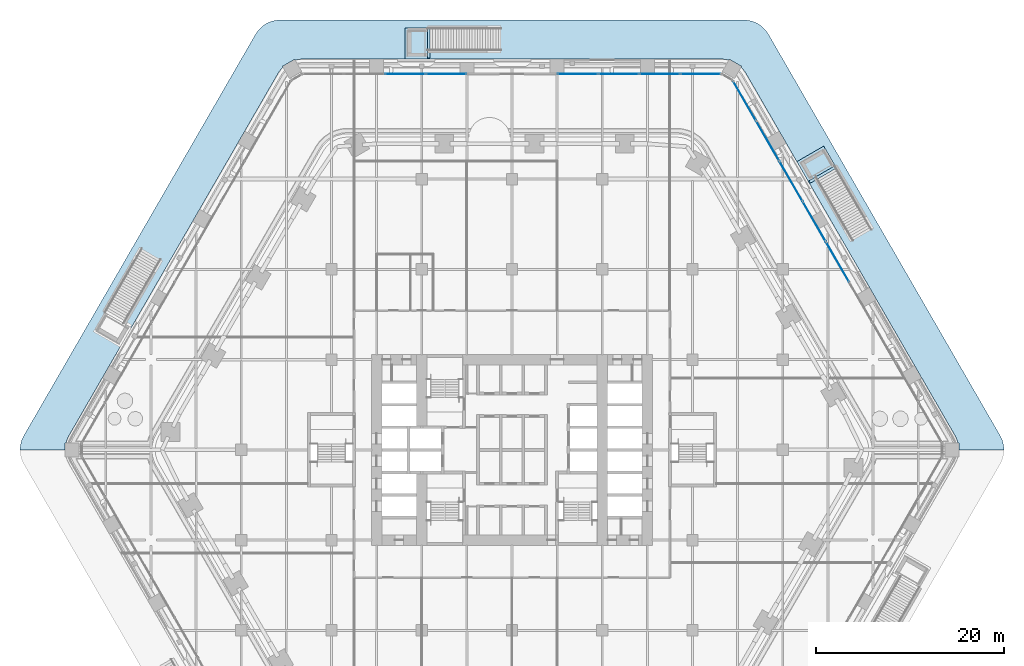
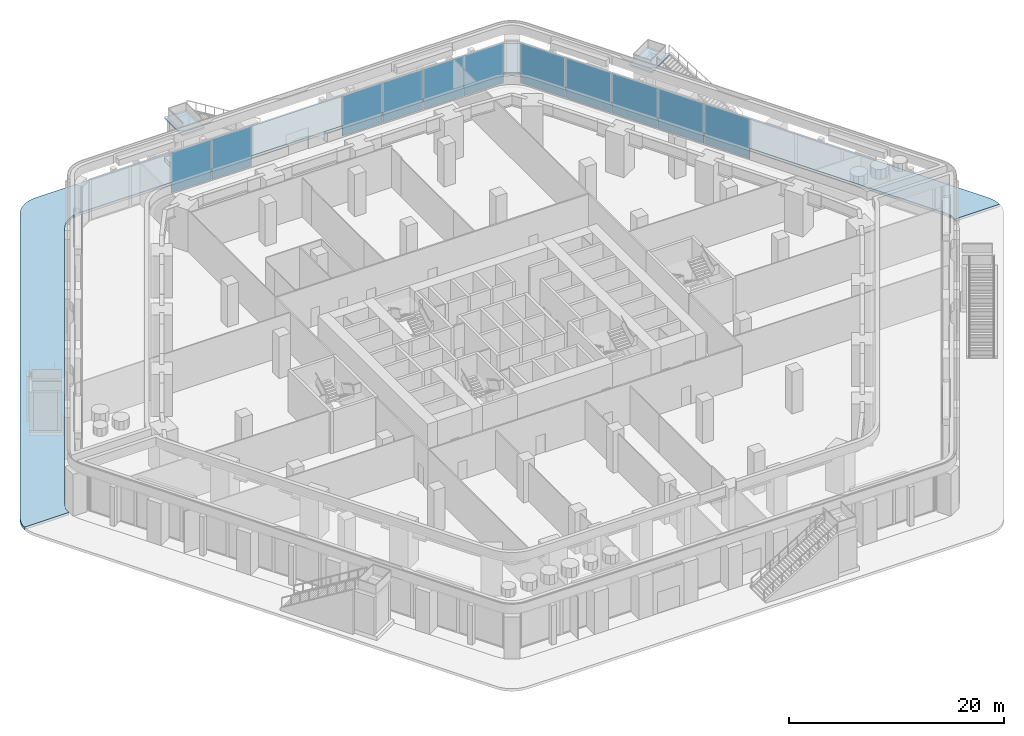
# One storey, part 17 of 34: 11 plates, 5 slabs, 5 elements without a shape of their own.
"""IFC4 building model written with IfcOpenShell, lengths in metres."""

from ifc_helpers import new_model, si_unit, direction, frame, origin, origin_2d, place, context, subcontext, project, spatial, polyline, rectangle, outline, extrude, material, layer, layer_set, type_object, element, aggregate, save


model = new_model("IFC4")

# Units and contexts
model_context = context("Model", 3, precision=1e-05, world=origin(), true_north=direction((0.0, 1.0)))
body_context = subcontext(model_context, "Body", "Model", "MODEL_VIEW")
ifc_project = project(units=[si_unit("LENGTHUNIT", "METRE"), si_unit("AREAUNIT", "SQUARE_METRE"), si_unit("VOLUMEUNIT", "CUBIC_METRE"), si_unit("PLANEANGLEUNIT", "RADIAN"), si_unit("MASSUNIT", "GRAM", prefix="KILO")], contexts=[model_context])

# Site, building, storey
site_placement = place(None, origin())
site = spatial("IfcSite", under=ifc_project, at=site_placement, CompositionType="ELEMENT")
building_placement = place(site_placement, origin())
building = spatial("IfcBuilding", under=site, at=building_placement, Name="Kolab Exchange Tower", CompositionType="ELEMENT")
storey_placement = place(building_placement, frame((0.0, 0.0, 12.39990234375)))
storey = spatial("IfcBuildingStorey", under=building, at=storey_placement, Name="L02", CompositionType="ELEMENT", Elevation=12.39990234375)

# Stair, slab
ifc_material_1 = material(Name="Concrete C40/50", Category="concrete")
stair_type = type_object("IfcStairType", Name="GARDEN STAIR RUN A", PredefinedType="STRAIGHT_RUN_STAIR", material=ifc_material_1)
stair_1_placement = place(storey_placement, origin())
stair_1 = element("IfcStair", 1, at=stair_1_placement, inside=storey, type_object=stair_type, Name="Garden stair GS1 run A", PredefinedType="STRAIGHT_RUN_STAIR")
ifc_layer_1 = layer(ifc_material_1, 0.199951171875)
ifc_layer_set_1 = layer_set([ifc_layer_1], Name="Concrete C40/50")
slab_type_1 = type_object("IfcSlabType", Name="GARDEN STAIR LANDING 200", PredefinedType="LANDING", material=ifc_layer_set_1)
slab_1_placement = place(storey_placement, frame((0.0, 0.0, 4.800048828125)))
slab_1 = element("IfcSlab", 2, at=slab_1_placement, type_object=slab_type_1, Name="GS1 landing 1", PredefinedType="LANDING", context=body_context, shape_type="SweptSolid", body=[
    extrude(outline(polyline([(-11.39990234375, 41.5693359375), (-8.9951171875, 41.5693359375), (-8.9951171875, 44.869140625), (-11.39990234375, 44.869140625), (-11.39990234375, 41.5693359375)])), origin(), (0.0, 0.0, 1.0), 0.199951171875),
])
aggregate(stair_1, [slab_1])

stair_2_placement = place(storey_placement, origin())
stair_2 = element("IfcStair", 3, at=stair_2_placement, inside=storey, type_object=stair_type, Name="Garden stair GS2 run A", PredefinedType="STRAIGHT_RUN_STAIR")
slab_2_placement = place(storey_placement, frame((0.0, 0.0, 4.800048828125)))
slab_2 = element("IfcSlab", 4, at=slab_2_placement, type_object=slab_type_1, Name="GS2 landing 1", PredefinedType="LANDING", context=body_context, shape_type="SweptSolid", body=[
    extrude(outline(polyline([(30.300048828125, 30.6572265625), (31.50244140625, 28.574462890625), (34.3603515625, 30.224609375), (33.157958984375, 32.307373046875), (30.300048828125, 30.6572265625)])), origin(), (0.0, 0.0, 1.0), 0.199951171875),
])
aggregate(stair_2, [slab_2])

# Curtain wall, plates
ifc_material_2 = material(Name="Aluminium EN AW-6063 T6", Category="aluminium")
curtain_wall_type = type_object("IfcCurtainWallType", Name="PODIUM STRUCTURAL GLAZING CURTAIN WALL", PredefinedType="NOTDEFINED", material=ifc_material_2)
curtain_wall_1_placement = place(storey_placement, origin())
curtain_wall_1 = element("IfcCurtainWall", 5, at=curtain_wall_1_placement, inside=storey, type_object=curtain_wall_type, Name="cw/L02/F1-1", PredefinedType="NOTDEFINED")
ifc_material_3 = material(Name="Clear insulated glazing unit", Category="glass")
ifc_layer_2 = layer(ifc_material_3, 0.035888671875)
ifc_layer_set_2 = layer_set([ifc_layer_2], Name="Clear insulated glazing unit")
plate_type = type_object("IfcPlateType", Name="PODIUM STRUCTURAL GLAZING GLASS PANEL 36", PredefinedType="CURTAIN_PANEL", material=ifc_layer_set_2)
plate_1_placement = place(storey_placement, frame((-11.3505859375, 39.9892578125, 0.080078125), z_axis=(0.0, 0.0, 1.0), x_axis=(1.0, 0.0, 0.0)))
plate_1 = element("IfcPlate", 6, at=plate_1_placement, type_object=plate_type, Name="CW5 panel 3.1", PredefinedType="CURTAIN_PANEL", context=body_context, shape_type="SweptSolid", body=[
    extrude(rectangle(XDim=4.286865234375, YDim=0.035888671875, at=origin_2d()), origin(), (0.0, 0.0, 1.0), 4.5400390625),
])
plate_2_placement = place(storey_placement, frame((-7.00341796875, 39.9892578125, 0.080078125), z_axis=(0.0, 0.0, 1.0), x_axis=(1.0, 0.0, 0.0)))
plate_2 = element("IfcPlate", 7, at=plate_2_placement, type_object=plate_type, Name="CW5 panel 4.1", PredefinedType="CURTAIN_PANEL", context=body_context, shape_type="SweptSolid", body=[
    extrude(rectangle(XDim=4.2470703125, YDim=0.035888671875, at=origin_2d()), origin(), (0.0, 0.0, 1.0), 4.5400390625),
])
aggregate(curtain_wall_1, [plate_1, plate_2])

curtain_wall_2_placement = place(storey_placement, origin())
curtain_wall_2 = element("IfcCurtainWall", 8, at=curtain_wall_2_placement, inside=storey, type_object=curtain_wall_type, Name="cw/L02/F1-2", PredefinedType="NOTDEFINED")
plate_3_placement = place(storey_placement, frame((7.00341796875, 39.9892578125, 0.080078125), z_axis=(0.0, 0.0, 1.0), x_axis=(1.0, 0.0, 0.0)))
plate_3 = element("IfcPlate", 9, at=plate_3_placement, type_object=plate_type, Name="CW5 panel 1.1", PredefinedType="CURTAIN_PANEL", context=body_context, shape_type="SweptSolid", body=[
    extrude(rectangle(XDim=4.2470703125, YDim=0.035888671875, at=origin_2d()), origin(), (0.0, 0.0, 1.0), 4.5400390625),
])
plate_4_placement = place(storey_placement, frame((11.3505859375, 39.9892578125, 0.080078125), z_axis=(0.0, 0.0, 1.0), x_axis=(1.0, 0.0, 0.0)))
plate_4 = element("IfcPlate", 10, at=plate_4_placement, type_object=plate_type, Name="CW5 panel 2.1", PredefinedType="CURTAIN_PANEL", context=body_context, shape_type="SweptSolid", body=[
    extrude(rectangle(XDim=4.286865234375, YDim=0.035888671875, at=origin_2d()), origin(), (0.0, 0.0, 1.0), 4.5400390625),
])
plate_5_placement = place(storey_placement, frame((15.717529296875, 39.9892578125, 0.080078125), z_axis=(0.0, 0.0, 1.0), x_axis=(1.0, 0.0, 0.0)))
plate_5 = element("IfcPlate", 11, at=plate_5_placement, type_object=plate_type, Name="CW5 panel 3.1", PredefinedType="CURTAIN_PANEL", context=body_context, shape_type="SweptSolid", body=[
    extrude(rectangle(XDim=4.286865234375, YDim=0.035888671875, at=origin_2d()), origin(), (0.0, 0.0, 1.0), 4.5400390625),
])
plate_6_placement = place(storey_placement, frame((20.064453125, 39.9892578125, 0.080078125), z_axis=(0.0, 0.0, 1.0), x_axis=(1.0, 0.0, 0.0)))
plate_6 = element("IfcPlate", 12, at=plate_6_placement, type_object=plate_type, Name="CW5 panel 4.1", PredefinedType="CURTAIN_PANEL", context=body_context, shape_type="SweptSolid", body=[
    extrude(rectangle(XDim=4.2470703125, YDim=0.035888671875, at=origin_2d()), origin(), (0.0, 0.0, 1.0), 4.5400390625),
])
aggregate(curtain_wall_2, [plate_3, plate_4, plate_5, plate_6])

curtain_wall_3_placement = place(storey_placement, origin())
curtain_wall_3 = element("IfcCurtainWall", 13, at=curtain_wall_3_placement, inside=storey, type_object=curtain_wall_type, Name="cw/L02/F2-1", PredefinedType="NOTDEFINED")
plate_7_placement = place(storey_placement, frame((24.744873046875, 37.119140625, 0.080078125), z_axis=(0.0, 0.0, 1.0), x_axis=(0.500000000469, -0.866025403514, 0.0)))
plate_7 = element("IfcPlate", 14, at=plate_7_placement, type_object=plate_type, Name="CW5 panel 1.1", PredefinedType="CURTAIN_PANEL", context=body_context, shape_type="SweptSolid", body=[
    extrude(rectangle(XDim=4.828369140625, YDim=0.035888671875, at=origin_2d()), origin(), (0.0, 0.0, 1.0), 4.5400390625),
])
plate_8_placement = place(storey_placement, frame((27.208984375, 32.85107421875, 0.080078125), z_axis=(0.0, 0.0, 1.0), x_axis=(0.500000000469, -0.866025403514, 0.0)))
plate_8 = element("IfcPlate", 15, at=plate_8_placement, type_object=plate_type, Name="CW5 panel 2.1", PredefinedType="CURTAIN_PANEL", context=body_context, shape_type="SweptSolid", body=[
    extrude(rectangle(XDim=4.868408203125, YDim=0.035888671875, at=origin_2d()), origin(), (0.0, 0.0, 1.0), 4.5400390625),
])
plate_9_placement = place(storey_placement, frame((29.683349609375, 28.5654296875, 0.080078125), z_axis=(0.0, 0.0, 1.0), x_axis=(0.500000000469, -0.866025403514, 0.0)))
plate_9 = element("IfcPlate", 16, at=plate_9_placement, type_object=plate_type, Name="CW5 panel 3.1", PredefinedType="CURTAIN_PANEL", context=body_context, shape_type="SweptSolid", body=[
    extrude(rectangle(XDim=4.868408203125, YDim=0.035888671875, at=origin_2d()), origin(), (0.0, 0.0, 1.0), 4.5400390625),
])
plate_10_placement = place(storey_placement, frame((32.157470703125, 24.280029296875, 0.080078125), z_axis=(0.0, 0.0, 1.0), x_axis=(0.500000000469, -0.866025403514, 0.0)))
plate_10 = element("IfcPlate", 17, at=plate_10_placement, type_object=plate_type, Name="CW5 panel 4.1", PredefinedType="CURTAIN_PANEL", context=body_context, shape_type="SweptSolid", body=[
    extrude(rectangle(XDim=4.868408203125, YDim=0.035888671875, at=origin_2d()), origin(), (0.0, 0.0, 1.0), 4.5400390625),
])
plate_11_placement = place(storey_placement, frame((34.631591796875, 19.99462890625, 0.080078125), z_axis=(0.0, 0.0, 1.0), x_axis=(0.500000000469, -0.866025403514, 0.0)))
plate_11 = element("IfcPlate", 18, at=plate_11_placement, type_object=plate_type, Name="CW5 panel 5.1", PredefinedType="CURTAIN_PANEL", context=body_context, shape_type="SweptSolid", body=[
    extrude(rectangle(XDim=4.868408203125, YDim=0.035888671875, at=origin_2d()), origin(), (0.0, 0.0, 1.0), 4.5400390625),
])
aggregate(curtain_wall_3, [plate_7, plate_8, plate_9, plate_10, plate_11])

# Slabs
ifc_layer_3 = layer(ifc_material_1, 0.449951171875)
ifc_layer_set_3 = layer_set([ifc_layer_3], Name="Concrete C40/50")
slab_type_2 = type_object("IfcSlabType", Name="STAIR PIER PLINTH 450", PredefinedType="FLOOR", material=ifc_layer_set_3)
slab_3_placement = place(storey_placement, origin())
element("IfcSlab", 19, at=slab_3_placement, inside=storey, type_object=slab_type_2, Name="Stair pier plinth", PredefinedType="FLOOR", context=body_context, shape_type="SweptSolid", body=[
    extrude(outline(polyline([(-11.39990234375, 41.669189453125), (-8.699951171875, 41.669189453125), (-8.699951171875, 44.869140625), (-11.39990234375, 44.869140625), (-11.39990234375, 41.669189453125)])), origin(), (0.0, 0.0, 1.0), 0.4501953125),
])
slab_4_placement = place(storey_placement, origin())
element("IfcSlab", 20, at=slab_4_placement, inside=storey, type_object=slab_type_2, Name="Stair pier plinth", PredefinedType="FLOOR", context=body_context, shape_type="SweptSolid", body=[
    extrude(outline(polyline([(30.38671875, 30.707275390625), (31.736572265625, 28.369140625), (34.5078125, 29.968994140625), (33.157958984375, 32.307373046875), (30.38671875, 30.707275390625)])), origin(), (0.0, 0.0, 1.0), 0.4501953125),
])
ifc_material_4 = material(Name="Concrete C35/45", Category="concrete")
ifc_layer_4 = layer(ifc_material_4, 0.300048828125)
ifc_layer_set_4 = layer_set([ifc_layer_4], Name="Concrete C35/45")
slab_type_3 = type_object("IfcSlabType", Name="TERRACE SLAB 300 PLANTED", PredefinedType="ROOF", material=ifc_layer_set_4)
slab_5_placement = place(storey_placement, frame((0.0, 0.0, -0.2998046875)))
element("IfcSlab", 21, at=slab_5_placement, inside=storey, type_object=slab_type_3, Name="slab/L01/podium-2/0", PredefinedType="ROOF", context=body_context, shape_type="SweptSolid", body=[
    extrude(outline(polyline([(-52.3359375, 0.0), (-47.535888671875, 0.0), (-47.535888671875, 0.75), (-47.428955078125, 0.75), (-47.35498046875, 1.026123046875), (-47.134033203125, 1.5), (-38.77490234375, 15.978271484375), (-38.02490234375, 17.277099609375), (-33.97509765625, 24.2919921875), (-33.22509765625, 25.591064453125), (-29.175048828125, 32.60595703125), (-28.425048828125, 33.90478515625), (-24.865966796875, 40.0693359375), (-24.566162109375, 40.49755859375), (-24.364013671875, 40.69970703125), (-24.41748046875, 40.792236328125), (-23.118408203125, 41.542236328125), (-23.06494140625, 41.44970703125), (-22.788818359375, 41.523681640625), (-22.26806640625, 41.5693359375), (-15.14990234375, 41.5693359375), (-13.64990234375, 41.5693359375), (-5.550048828125, 41.5693359375), (-4.050048828125, 41.5693359375), (4.050048828125, 41.5693359375), (5.550048828125, 41.5693359375), (13.64990234375, 41.5693359375), (15.14990234375, 41.5693359375), (22.26806640625, 41.5693359375), (22.788818359375, 41.523681640625), (23.06494140625, 41.44970703125), (23.118408203125, 41.542236328125), (24.41748046875, 40.792236328125), (24.364013671875, 40.69970703125), (24.566162109375, 40.49755859375), (24.865966796875, 40.0693359375), (28.425048828125, 33.90478515625), (29.175048828125, 32.60595703125), (33.22509765625, 25.591064453125), (33.97509765625, 24.2919921875), (38.02490234375, 17.277099609375), (38.77490234375, 15.978271484375), (47.134033203125, 1.5), (47.35498046875, 1.026123046875), (47.428955078125, 0.75), (47.535888671875, 0.75), (47.535888671875, 0.0), (52.3359375, 0.0), (52.290283203125, 0.52099609375), (52.155029296875, 1.026123046875), (51.93408203125, 1.5), (27.26611328125, 44.22607421875), (26.966064453125, 44.654541015625), (26.59619140625, 45.024169921875), (26.16796875, 45.32421875), (25.694091796875, 45.545166015625), (25.18896484375, 45.6806640625), (24.66796875, 45.72607421875), (-24.66796875, 45.72607421875), (-25.18896484375, 45.6806640625), (-25.694091796875, 45.545166015625), (-26.16796875, 45.32421875), (-26.59619140625, 45.024169921875), (-26.966064453125, 44.654541015625), (-27.26611328125, 44.22607421875), (-51.93408203125, 1.5), (-52.155029296875, 1.026123046875), (-52.290283203125, 0.52099609375), (-52.3359375, 0.0)])), origin(), (0.0, 0.0, 1.0), 0.2998046875),
])

save(model, "model.ifc")
